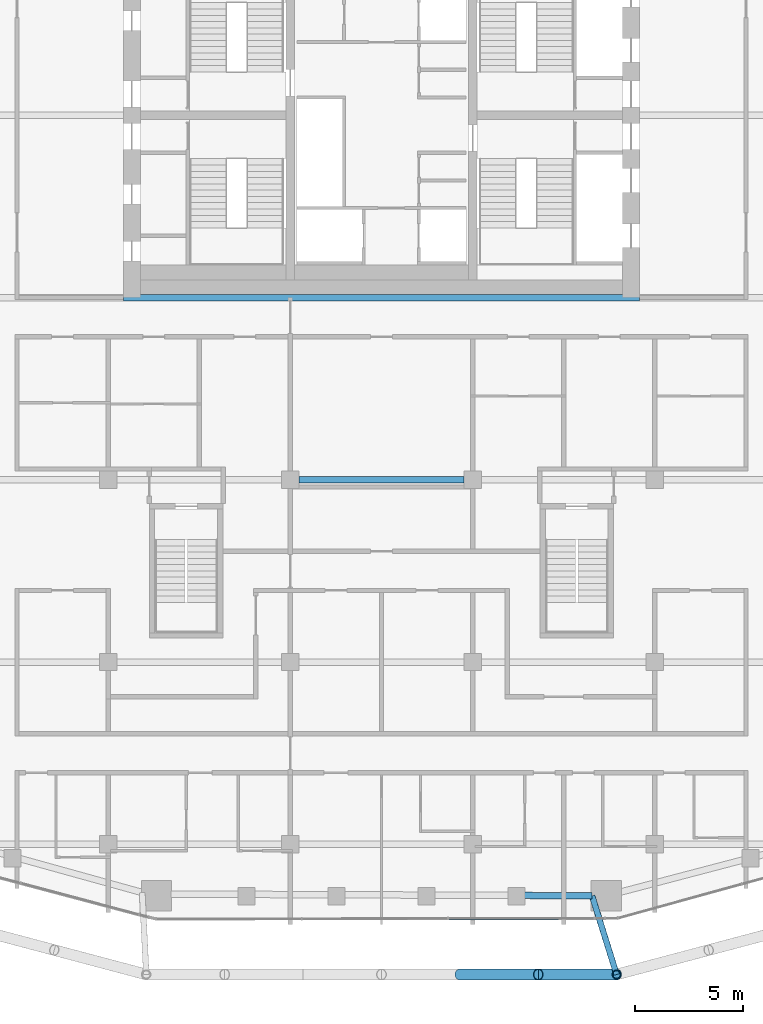
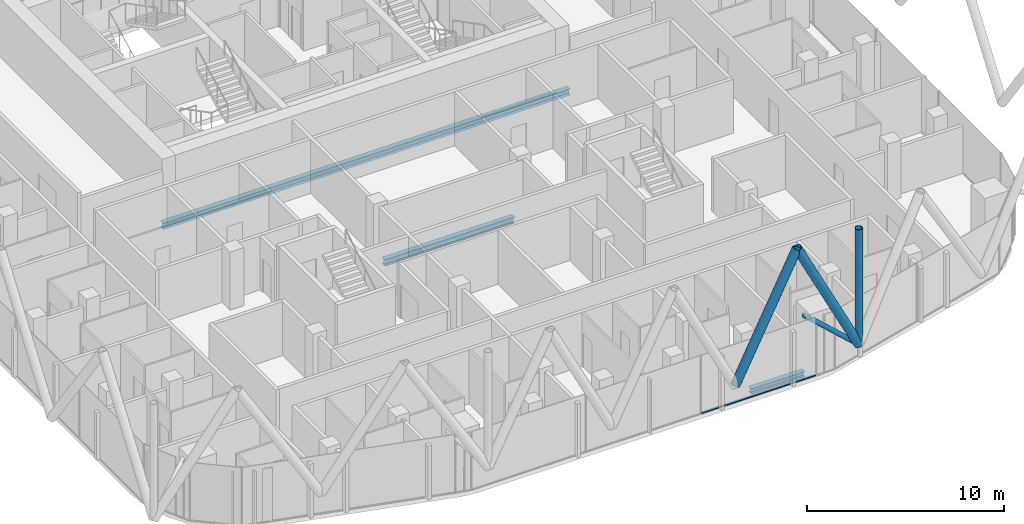
# One storey, part 5 of 28: 5 members, 3 beams, 1 element without a shape of its own.
"""IFC4 building model written with IfcOpenShell, lengths in metres."""

from ifc_helpers import new_model, si_unit, direction, frame, origin, origin_2d, place, context, subcontext, project, spatial, rectangle, hollow_circle, i_section, extrude, material, layer, layer_set, material_profile, profile_set, type_object, element, aggregate, save


model = new_model("IFC4")

# Units and contexts
model_context = context("Model", 3, precision=1e-05, world=origin(), true_north=direction((0.0, 1.0)))
body_context = subcontext(model_context, "Body", "Model", "MODEL_VIEW")
ifc_project = project(units=[si_unit("LENGTHUNIT", "METRE"), si_unit("AREAUNIT", "SQUARE_METRE"), si_unit("VOLUMEUNIT", "CUBIC_METRE"), si_unit("PLANEANGLEUNIT", "RADIAN"), si_unit("MASSUNIT", "GRAM", prefix="KILO")], contexts=[model_context])

# Site, building, storey
site_placement = place(None, origin())
site = spatial("IfcSite", under=ifc_project, at=site_placement, CompositionType="ELEMENT")
building_placement = place(site_placement, origin())
building = spatial("IfcBuilding", under=site, at=building_placement, Name="Marenta Gate Hotel Tower", CompositionType="ELEMENT")
storey_placement = place(building_placement, frame((0.0, 0.0, 227.300048828125)))
storey = spatial("IfcBuildingStorey", under=building, at=storey_placement, Name="L53", CompositionType="ELEMENT", Elevation=227.300048828125)

# Members
ifc_material_1 = material(Name="Steel S355J2W", Category="steel")
ifc_material_profile_1 = material_profile(ifc_material_1, hollow_circle(Radius=0.203125, WallThickness=0.02490234375, at=origin_2d()), Name="CHS 406.4x25")
ifc_profile_set_1 = profile_set([ifc_material_profile_1], Name="Steel S355J2W")
member_type_1 = type_object("IfcMemberType", Name="Diagrid corner post Z3 CHS 406.4x25", PredefinedType="POST", material=ifc_profile_set_1)
member_1_placement = place(storey_placement, frame((10.839111328125, -31.199951171875, 3.139892578125), z_axis=(0.0, 0.0, 1.0), x_axis=(1.0, 0.0, 0.0)))
element("IfcMember", 1, at=member_1_placement, inside=storey, type_object=member_type_1, Name="L53-DR-3", PredefinedType="POST", context=body_context, shape_type="SweptSolid", body=[
    extrude(hollow_circle(Radius=0.203125, WallThickness=0.02490234375, at=origin_2d()), origin(), (0.0, 0.0, 1.0), 7.199951171875),
])
ifc_material_2 = material(Name="Steel S355J2W", Category="steel")
ifc_material_profile_2 = material_profile(ifc_material_2, hollow_circle(Radius=0.25390625, WallThickness=0.02490234375, at=origin_2d()), Name="CHS 508x25")
ifc_profile_set_2 = profile_set([ifc_material_profile_2], Name="Steel S355J2W")
member_type_2 = type_object("IfcMemberType", Name="Diagrid diagonal Z3 CHS 508x25", PredefinedType="BRACE", material=ifc_profile_set_2)
for number, where, z_axis, x_axis, name in (
    (2, (10.839111328125, -31.199951171875, 3.139892578125), (-0.44851025603, 0.0, 0.893777685018), (0.0, -1.0, 0.0), "L53-DG-15"),
    (3, (3.613037109375, -31.199951171875, 3.139892578125), (0.44851025603, 0.0, 0.893777685018), (0.0, 1.0, 0.0), "L53-DG-16"),
):
    element("IfcMember", number, at=place(storey_placement, frame(where, z_axis=z_axis, x_axis=x_axis)), inside=storey, type_object=member_type_2, Name=name, PredefinedType="BRACE", context=body_context, shape_type="SweptSolid", body=[
        extrude(hollow_circle(Radius=0.25390625, WallThickness=0.02490234375, at=origin_2d()), origin(), (0.0, 0.0, 1.0), 8.0556640625),
    ])

# Beam
ifc_material_3 = material(Name="Steel S355", Category="steel")
ifc_material_profile_3 = material_profile(ifc_material_3, i_section(OverallWidth=0.300048828125, OverallDepth=0.340087890625, WebThickness=0.011962890625, FlangeThickness=0.021484375, FilletRadius=0.027099609375, at=origin_2d()), Name="HEB 340")
ifc_profile_set_3 = profile_set([ifc_material_profile_3], Name="Steel S355")
beam_type_1 = type_object("IfcBeamType", Name="Edge beam HEB 340", PredefinedType="SPANDREL", material=ifc_profile_set_3)
beam_1_placement = place(storey_placement, frame((9.706298828125, -27.570068359375, -0.429931640625), z_axis=(-0.999992678531, 0.003826602206, 0.0), x_axis=(-0.003826602206, -0.999992678531, 0.0)))
element("IfcBeam", 4, at=beam_1_placement, inside=storey, type_object=beam_type_1, Name="L53-EB-32", PredefinedType="SPANDREL", context=body_context, shape_type="SweptSolid", body=[
    extrude(i_section(OverallWidth=0.300048828125, OverallDepth=0.340087890625, WebThickness=0.011962890625, FlangeThickness=0.021484375, FilletRadius=0.027099609375, at=origin_2d()), origin(), (0.0, 0.0, 1.0), 3.126220703125),
])

# Member
ifc_material_4 = material(Name="Steel S355J2W", Category="steel")
ifc_material_profile_4 = material_profile(ifc_material_4, hollow_circle(Radius=0.136474609375, WallThickness=0.012451171875, at=origin_2d()), Name="CHS 273x12.5")
ifc_profile_set_4 = profile_set([ifc_material_profile_4], Name="Steel S355J2W")
member_type_3 = type_object("IfcMemberType", Name="Floor tie CHS 273x12.5", PredefinedType="STRUT", material=ifc_profile_set_4)
member_2_placement = place(storey_placement, frame((10.839111328125, -31.199951171875, 3.139892578125), z_axis=(-0.297897789013, 0.954597772521, 0.0), x_axis=(-0.954597772521, -0.297897789013, 0.0)))
element("IfcMember", 5, at=member_2_placement, inside=storey, type_object=member_type_3, Name="L53-DR-9", PredefinedType="STRUT", context=body_context, shape_type="SweptSolid", body=[
    extrude(hollow_circle(Radius=0.136474609375, WallThickness=0.012451171875, at=origin_2d()), origin(), (0.0, 0.0, 1.0), 3.796142578125),
])

# Beams
ifc_material_5 = material(Name="Steel S355", Category="steel")
ifc_material_profile_5 = material_profile(ifc_material_5, i_section(OverallWidth=0.300048828125, OverallDepth=0.39990234375, WebThickness=0.013427734375, FlangeThickness=0.02392578125, FilletRadius=0.027099609375, at=origin_2d()), Name="HEB 400")
ifc_profile_set_5 = profile_set([ifc_material_profile_5], Name="Steel S355")
beam_type_2 = type_object("IfcBeamType", Name="Girder HEB 400", PredefinedType="BEAM", material=ifc_profile_set_5)
beam_2_placement = place(storey_placement, frame((-3.800048828125, -8.39990234375, -0.4599609375), z_axis=(1.0, 0.0, 0.0), x_axis=(0.0, 1.0, 0.0)))
element("IfcBeam", 6, at=beam_2_placement, inside=storey, type_object=beam_type_2, Name="L53-GD-16", PredefinedType="BEAM", context=body_context, shape_type="SweptSolid", body=[
    extrude(i_section(OverallWidth=0.300048828125, OverallDepth=0.39990234375, WebThickness=0.013427734375, FlangeThickness=0.02392578125, FilletRadius=0.027099609375, at=origin_2d()), origin(), (0.0, 0.0, 1.0), 7.60009765625),
])
beam_3_placement = place(storey_placement, frame((-11.89990234375, 0.0, -0.4599609375), z_axis=(1.0, 0.0, 0.0), x_axis=(0.0, 1.0, 0.0)))
element("IfcBeam", 7, at=beam_3_placement, inside=storey, type_object=beam_type_2, Name="L53-GD-22", PredefinedType="BEAM", context=body_context, shape_type="SweptSolid", body=[
    extrude(i_section(OverallWidth=0.300048828125, OverallDepth=0.39990234375, WebThickness=0.013427734375, FlangeThickness=0.02392578125, FilletRadius=0.027099609375, at=origin_2d()), origin(), (0.0, 0.0, 1.0), 23.7998046875),
])

# Curtain wall, member
ifc_material_6 = material(Name="Tinted insulated glass in bronze anodised frame", Category="glass")
ifc_layer = layer(ifc_material_6, 0.1201171875)
ifc_layer_set = layer_set([ifc_layer], Name="Tinted insulated glass in bronze anodised frame")
curtain_wall_type = type_object("IfcCurtainWallType", Name="Tower unitised curtain wall CW1", PredefinedType="NOTDEFINED", material=ifc_layer_set)
curtain_wall_placement = place(storey_placement, origin())
curtain_wall = element("IfcCurtainWall", 8, at=curtain_wall_placement, inside=storey, type_object=curtain_wall_type, Name="CW1 run G12", PredefinedType="NOTDEFINED")
ifc_material_7 = material(Name="Bronze anodised aluminium", Category="aluminium")
ifc_material_profile_6 = material_profile(ifc_material_7, rectangle(XDim=0.1201171875, YDim=0.06005859375, at=origin_2d()), Name="Transom CW1 60x120 bronze anodised aluminium")
ifc_profile_set_6 = profile_set([ifc_material_profile_6], Name="Bronze anodised aluminium")
member_type_4 = type_object("IfcMemberType", Name="Transom CW1 60x120 bronze anodised aluminium", PredefinedType="USERDEFINED", material=ifc_profile_set_6)
member_3_placement = place(storey_placement, frame((3.09130859375, -28.625244140625, 0.030029296875), z_axis=(0.999998657061, 0.001638864432, 0.0), x_axis=(-0.001638864432, 0.999998657061, 0.0)))
member_3 = element("IfcMember", 9, at=member_3_placement, type_object=member_type_4, Name="CW1 transom 3.1", ObjectType="TRANSOM", PredefinedType="USERDEFINED", context=body_context, shape_type="SweptSolid", body=[
    extrude(rectangle(XDim=0.1201171875, YDim=0.06005859375, at=origin_2d()), origin(), (0.0, 0.0, 1.0), 6.70361328125),
])
aggregate(curtain_wall, [member_3])

save(model, "model.ifc")
